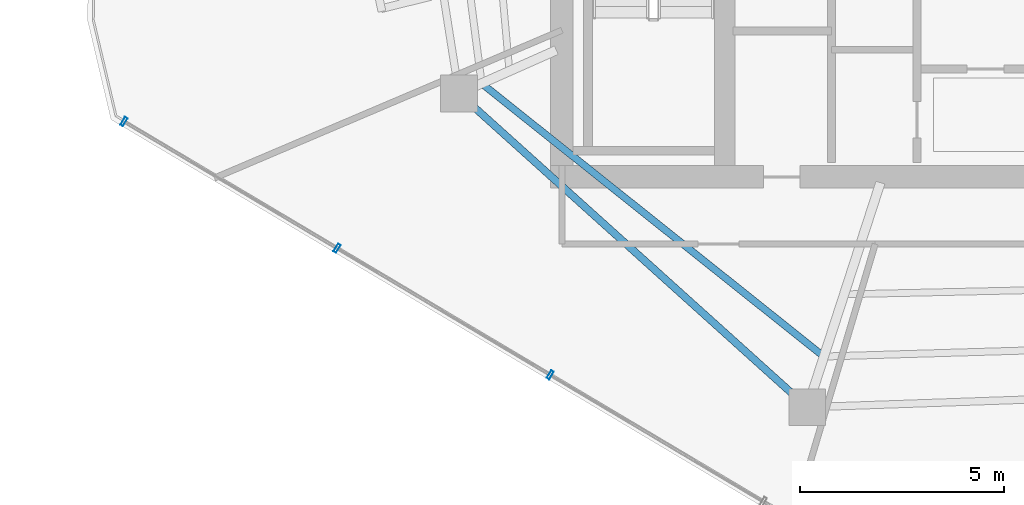
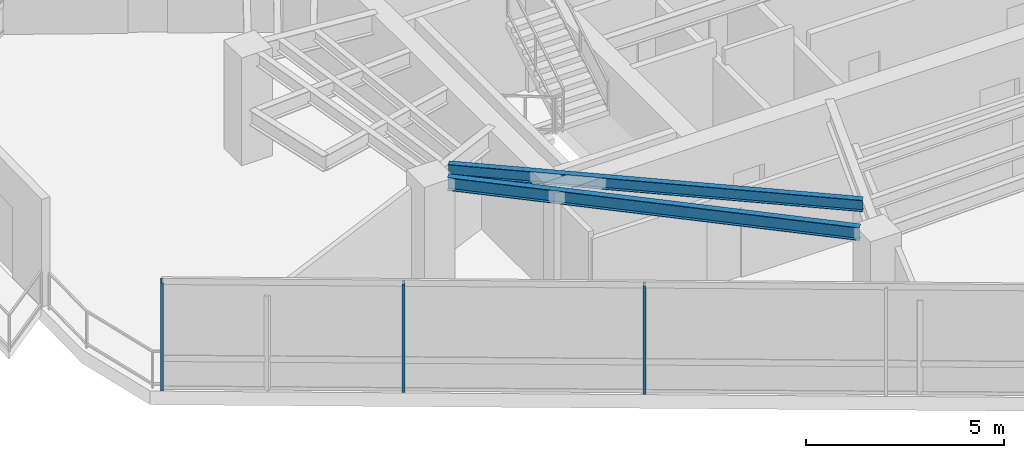
# One storey, part 2 of 18: 3 members, 2 beams, 1 element without a shape of its own.
"""IFC4 building model written with IfcOpenShell, lengths in metres."""

import ifcopenshell
import ifcopenshell.guid

model = None  # the IFC model being written
_history = None  # IfcOwnerHistory: only IFC2X3 demands one
_inside = {}  # id of a spatial element -> (the spatial element, [elements in it])
_under = {}  # id of a project, library or spatial element -> (it, [spatial elements below it])
_declared = {}  # id of a project -> (the project, [libraries it declares])
_typed = {}  # id of a type object -> (the type object, [elements of that type])
_made_of = {}  # id of a material, layer set ... -> (it, [elements and type objects made of it])


def new_model(schema):
    """Start an empty IFC model of exactly this schema.

    Asked for "IFC4X3", IfcOpenShell would pick the latest addendum, in which some entities
    have other attributes; the version numbers below select the first issue.
    IFC2X3 requires an IfcOwnerHistory on every rooted entity: one is made here for all.
    """
    global model, _history
    if schema == "IFC4X3":
        model = ifcopenshell.file(schema_version=(4, 3, 0, 0))
    else:
        model = ifcopenshell.file(schema=schema)
    _inside.clear()
    _under.clear()
    _declared.clear()
    _typed.clear()
    _made_of.clear()
    _history = None
    if model.schema == "IFC2X3":
        org = make("IfcOrganization", Name="unknown")
        user = make(
            "IfcPersonAndOrganization",
            ThePerson=make("IfcPerson", FamilyName="unknown"),
            TheOrganization=org,
        )
        app = make(
            "IfcApplication",
            ApplicationDeveloper=org,
            Version="unknown",
            ApplicationFullName="unknown",
            ApplicationIdentifier="unknown",
        )
        _history = make(
            "IfcOwnerHistory",
            OwningUser=user,
            OwningApplication=app,
            ChangeAction="ADDED",
            CreationDate=0,
        )
    return model


def make(cls, **values):
    """One entity of the class cls with the attributes given. An attribute that is None is left unset."""
    return model.create_entity(
        cls, **{name: value for name, value in values.items() if value is not None}
    )


def rooted(cls, **values):
    """An entity with a GlobalId (a new one), such as an element, a storey or a relation."""
    return make(cls, GlobalId=ifcopenshell.guid.new(), OwnerHistory=_history, **values)


def si_unit(unit_type, name, prefix=None):
    """IfcSIUnit, for example si_unit("LENGTHUNIT", "METRE", prefix="MILLI")."""
    return make("IfcSIUnit", UnitType=unit_type, Prefix=prefix, Name=name)


def assignment(units):
    """IfcUnitAssignment: the units of a project."""
    return None if units is None else make("IfcUnitAssignment", Units=units)


def point(xyz):
    """IfcCartesianPoint."""
    return None if xyz is None else make("IfcCartesianPoint", Coordinates=xyz)


def direction(xyz):
    """IfcDirection."""
    return None if xyz is None else make("IfcDirection", DirectionRatios=xyz)


def frame(location, z_axis=None, x_axis=None):
    """IfcAxis2Placement3D, a coordinate frame: its origin and axes. An axis left out is left unset."""
    return make(
        "IfcAxis2Placement3D",
        Location=point(location),
        Axis=direction(z_axis),
        RefDirection=direction(x_axis),
    )


def frame_2d(location, x_axis=None):
    """IfcAxis2Placement2D, a coordinate frame in the plane: its origin and x axis."""
    return make(
        "IfcAxis2Placement2D", Location=point(location), RefDirection=direction(x_axis)
    )


def origin():
    """The frame at (0, 0, 0) with its axes left unset."""
    return frame((0.0, 0.0, 0.0))


def origin_2d():
    """The frame at (0, 0) in the plane with its x axis left unset."""
    return frame_2d((0.0, 0.0))


def place(relative_to, where):
    """IfcLocalPlacement: puts the frame where relative to a parent placement (None: the world)."""
    return make(
        "IfcLocalPlacement", PlacementRelTo=relative_to, RelativePlacement=where
    )


def context(
    kind, dimensions, precision=None, world=None, true_north=None, identifier=None
):
    """IfcGeometricRepresentationContext, for example the 3D "Model" context."""
    return make(
        "IfcGeometricRepresentationContext",
        ContextIdentifier=identifier,
        ContextType=kind,
        CoordinateSpaceDimension=dimensions,
        Precision=precision,
        WorldCoordinateSystem=world,
        TrueNorth=true_north,
    )


def subcontext(parent, identifier, kind, view, scale=None):
    """IfcGeometricRepresentationSubContext, for example "Body" below "Model"."""
    return make(
        "IfcGeometricRepresentationSubContext",
        ContextIdentifier=identifier,
        ContextType=kind,
        ParentContext=parent,
        TargetScale=scale,
        TargetView=view,
    )


def project(units=None, contexts=None):
    """IfcProject with its units and contexts."""
    return rooted(
        "IfcProject",
        Name="project",
        RepresentationContexts=contexts,
        UnitsInContext=assignment(units),
    )


def spatial(cls, under=None, at=None, **own):
    """A site, building, storey or space (cls), placed at a placement, below another one or the project."""
    s = rooted(cls, ObjectPlacement=at, **own)
    if under is not None:
        _under.setdefault(under.id(), (under, []))[1].append(s)
    return s


def profile(cls, at=None, kind="AREA", **sizes):
    """A parametric profile (cls). Its sizes go by their IFC names, for example OverallWidth=200.0."""
    return make(cls, ProfileType=kind, Position=at, **sizes)


def hollow_rectangle(**sizes):
    """IfcRectangleHollowProfileDef."""
    return profile("IfcRectangleHollowProfileDef", **sizes)


def i_section(**sizes):
    """IfcIShapeProfileDef."""
    return profile("IfcIShapeProfileDef", **sizes)


def extrude(swept, where, along, depth):
    """IfcExtrudedAreaSolid: the profile swept, set in the frame where, extruded along a direction by depth."""
    return make(
        "IfcExtrudedAreaSolid",
        SweptArea=swept,
        Position=where,
        ExtrudedDirection=direction(along),
        Depth=depth,
    )


def shape(context_of_items, identifier, shape_type, items):
    """IfcShapeRepresentation: the items that make up one representation, for example the "Body"."""
    return make(
        "IfcShapeRepresentation",
        ContextOfItems=context_of_items,
        RepresentationIdentifier=identifier,
        RepresentationType=shape_type,
        Items=items,
    )


def material(Name=None, Category=None):
    """IfcMaterial."""
    return make("IfcMaterial", Name=Name, Category=Category)


def layer(
    of_material, thickness, ventilated=None, Name=None, Category=None, Priority=None
):
    """IfcMaterialLayer: one layer of a wall or slab, of a material (None: an air gap)."""
    return make(
        "IfcMaterialLayer",
        Material=of_material,
        LayerThickness=thickness,
        IsVentilated=ventilated,
        Name=Name,
        Category=Category,
        Priority=Priority,
    )


def layer_set(layers, Name=None):
    """IfcMaterialLayerSet."""
    return make("IfcMaterialLayerSet", MaterialLayers=layers, LayerSetName=Name)


def material_profile(
    of_material, cross_section, Name=None, Category=None, Priority=None
):
    """IfcMaterialProfile: a cross section and its material."""
    return make(
        "IfcMaterialProfile",
        Name=Name,
        Material=of_material,
        Profile=cross_section,
        Priority=Priority,
        Category=Category,
    )


def profile_set(profiles, Name=None, composite=None):
    """IfcMaterialProfileSet."""
    return make(
        "IfcMaterialProfileSet",
        Name=Name,
        MaterialProfiles=profiles,
        CompositeProfile=composite,
    )


def made_of(thing, what):
    """Note that an element or type object is made of a material, layer set ...; save() writes the relation."""
    if what is not None:
        _made_of.setdefault(what.id(), (what, []))[1].append(thing)
    return thing


def type_object(cls, material=None, **own):
    """A type object (cls), such as IfcWallType, which elements share."""
    return made_of(rooted(cls, **own), material)


def element(
    cls,
    number,
    at=None,
    inside=None,
    cuts=None,
    type_object=None,
    material=None,
    context=None,
    identifier="Body",
    shape_type=None,
    held_by="IfcProductDefinitionShape",
    body=None,
    shapes=None,
    **own,
):
    """One element of the class cls, such as IfcWall. Its Tag is "e" and its number.

    at: its placement. inside: the storey or other place that contains it. cuts: it is an
    opening in that element (IfcRelVoidsElement). A single representation is given by context,
    identifier, shape_type and body (its items); several are given by shapes. held_by: the class
    of the entity that holds the representations. save() writes the other relations.
    """
    e = rooted(cls, Tag="e%d" % number, ObjectPlacement=at, **own)
    if body is not None:
        shapes = [shape(context, identifier, shape_type, body)]
    if shapes is not None:
        e.Representation = make(held_by, Representations=shapes)
    if inside is not None:
        _inside.setdefault(inside.id(), (inside, []))[1].append(e)
    if cuts is not None:
        rooted(
            "IfcRelVoidsElement", RelatingBuildingElement=cuts, RelatedOpeningElement=e
        )
    if type_object is not None:
        _typed.setdefault(type_object.id(), (type_object, []))[1].append(e)
    return made_of(e, material)


def aggregate(whole, parts):
    """IfcRelAggregates: a whole, such as a stair, and the parts it consists of."""
    return rooted("IfcRelAggregates", RelatingObject=whole, RelatedObjects=parts)


def save(model, path):
    """Write the relations noted so far, then the file.

    IfcRelAggregates (storeys below a building ...), IfcRelContainedInSpatialStructure (elements
    in a storey), IfcRelDefinesByType, IfcRelAssociatesMaterial and IfcRelDeclares: one each for
    every whole, place, type object, material and project.
    """
    for whole, parts in _under.values():
        aggregate(whole, parts)
    for where, things in _inside.values():
        rooted(
            "IfcRelContainedInSpatialStructure",
            RelatedElements=things,
            RelatingStructure=where,
        )
    for kind, things in _typed.values():
        rooted("IfcRelDefinesByType", RelatedObjects=things, RelatingType=kind)
    for what, things in _made_of.values():
        rooted("IfcRelAssociatesMaterial", RelatedObjects=things, RelatingMaterial=what)
    for by, libraries in _declared.values():
        rooted("IfcRelDeclares", RelatingContext=by, RelatedDefinitions=libraries)
    model.write(path)


model = new_model("IFC4")

# Units and contexts
model_context = context("Model", 3, precision=1e-05, world=origin(), true_north=direction((0.0, 1.0)))
body_context = subcontext(model_context, "Body", "Model", "MODEL_VIEW")
ifc_project = project(units=[si_unit("LENGTHUNIT", "METRE"), si_unit("AREAUNIT", "SQUARE_METRE"), si_unit("VOLUMEUNIT", "CUBIC_METRE"), si_unit("PLANEANGLEUNIT", "RADIAN"), si_unit("MASSUNIT", "GRAM", prefix="KILO")], contexts=[model_context])

# Site, building, storey
site_placement = place(None, origin())
site = spatial("IfcSite", under=ifc_project, at=site_placement, CompositionType="ELEMENT")
building_placement = place(site_placement, origin())
building = spatial("IfcBuilding", under=site, at=building_placement, Name="Qarnah Convention Tower", CompositionType="ELEMENT")
storey_placement = place(building_placement, frame((0.0, 0.0, 177.0)))
storey = spatial("IfcBuildingStorey", under=building, at=storey_placement, Name="L47", CompositionType="ELEMENT", Elevation=177.0)

# Beams
ifc_material_1 = material(Name="Structural steel S355JR", Category="steel")
ifc_material_profile_1 = material_profile(ifc_material_1, i_section(OverallWidth=0.172119140625, OverallDepth=0.35595703125, WebThickness=0.007080078125, FlangeThickness=0.011962890625, at=origin_2d()), Name="W360X51")
ifc_profile_set_1 = profile_set([ifc_material_profile_1], Name="Structural steel S355JR")
beam_type_1 = type_object("IfcBeamType", Name="BM-JST-W360", PredefinedType="JOIST", material=ifc_profile_set_1)
beam_1_placement = place(storey_placement, frame((24.89892578125, 20.8359375, 3.14208984375), z_axis=(0.781677166358, -0.62368325903, 0.0), x_axis=(0.62368325903, 0.781677166358, 0.0)))
element("IfcBeam", 1, at=beam_1_placement, inside=storey, type_object=beam_type_1, Name="L47 joist BM-L47-SJST-06", PredefinedType="JOIST", context=body_context, shape_type="SweptSolid", body=[
    extrude(i_section(OverallWidth=0.172119140625, OverallDepth=0.35595703125, WebThickness=0.007080078125, FlangeThickness=0.011962890625, at=origin_2d()), origin(), (0.0, 0.0, 1.0), 10.569580078125),
])
ifc_material_profile_2 = material_profile(ifc_material_1, i_section(OverallWidth=0.179931640625, OverallDepth=0.39990234375, WebThickness=0.009033203125, FlangeThickness=0.013916015625, at=origin_2d()), Name="IPE400")
ifc_profile_set_2 = profile_set([ifc_material_profile_2], Name="Structural steel S355JR")
beam_type_2 = type_object("IfcBeamType", Name="BM-SPN-IPE400", PredefinedType="SPANDREL", material=ifc_profile_set_2)
beam_2_placement = place(storey_placement, frame((24.60009765625, 20.35107421875, 3.1201171875), z_axis=(0.743102275255, -0.669177860147, 0.0), x_axis=(0.669177860147, 0.743102275255, 0.0)))
element("IfcBeam", 2, at=beam_2_placement, inside=storey, type_object=beam_type_2, Name="L47 spandrel BM-L47-SPN-06", PredefinedType="SPANDREL", context=body_context, shape_type="SweptSolid", body=[
    extrude(i_section(OverallWidth=0.179931640625, OverallDepth=0.39990234375, WebThickness=0.009033203125, FlangeThickness=0.013916015625, at=origin_2d()), origin(), (0.0, 0.0, 1.0), 10.630859375),
])

# Curtain wall, members
ifc_material_2 = material(Name="Tempered Low-E dark glass", Category="glass")
ifc_layer = layer(ifc_material_2, 0.174072265625)
ifc_layer_set = layer_set([ifc_layer], Name="Tempered Low-E dark glass")
curtain_wall_type = type_object("IfcCurtainWallType", Name="CWS-04", PredefinedType="NOTDEFINED", material=ifc_layer_set)
curtain_wall_placement = place(storey_placement, origin())
curtain_wall = element("IfcCurtainWall", 3, at=curtain_wall_placement, inside=storey, type_object=curtain_wall_type, Name="L47 unitised curtain wall CW-L47-F1", PredefinedType="NOTDEFINED")
ifc_material_3 = material(Name="Black anodised aluminium", Category="aluminium")
ifc_material_profile_3 = material_profile(ifc_material_3, hollow_rectangle(XDim=0.074951171875, YDim=0.219970703125, WallThickness=0.0048828125, at=origin_2d()), Name="MUL-75X220")
ifc_profile_set_3 = profile_set([ifc_material_profile_3], Name="Black anodised aluminium")
member_type = type_object("IfcMemberType", Name="MUL-T4", PredefinedType="MULLION", material=ifc_profile_set_3)
member_1_placement = place(storey_placement, frame((26.512451171875, 13.7373046875, 0.0), z_axis=(0.0, 0.0, 1.0), x_axis=(-0.859654078443, 0.510876565734, 0.0)))
member_1 = element("IfcMember", 4, at=member_1_placement, type_object=member_type, Name="CW-L47-F1 mullion 4", PredefinedType="MULLION", context=body_context, shape_type="SweptSolid", body=[
    extrude(hollow_rectangle(XDim=0.074951171875, YDim=0.219970703125, WallThickness=0.0048828125, at=origin_2d()), origin(), (0.0, 0.0, 1.0), 3.320068359375),
])
member_2_placement = place(storey_placement, frame((21.2802734375, 16.8466796875, 0.0), z_axis=(0.0, 0.0, 1.0), x_axis=(-0.859654078443, 0.510876565734, 0.0)))
member_2 = element("IfcMember", 5, at=member_2_placement, type_object=member_type, Name="CW-L47-F1 mullion 5", PredefinedType="MULLION", context=body_context, shape_type="SweptSolid", body=[
    extrude(hollow_rectangle(XDim=0.074951171875, YDim=0.219970703125, WallThickness=0.0048828125, at=origin_2d()), origin(), (0.0, 0.0, 1.0), 3.320068359375),
])
member_3_placement = place(storey_placement, frame((16.048095703125, 19.9560546875, 0.0), z_axis=(0.0, 0.0, 1.0), x_axis=(-0.859654078443, 0.510876565734, 0.0)))
member_3 = element("IfcMember", 6, at=member_3_placement, type_object=member_type, Name="CW-L47-F1 mullion 6", PredefinedType="MULLION", context=body_context, shape_type="SweptSolid", body=[
    extrude(hollow_rectangle(XDim=0.074951171875, YDim=0.219970703125, WallThickness=0.0048828125, at=origin_2d()), origin(), (0.0, 0.0, 1.0), 3.320068359375),
])
aggregate(curtain_wall, [member_1, member_2, member_3])

save(model, "model.ifc")
